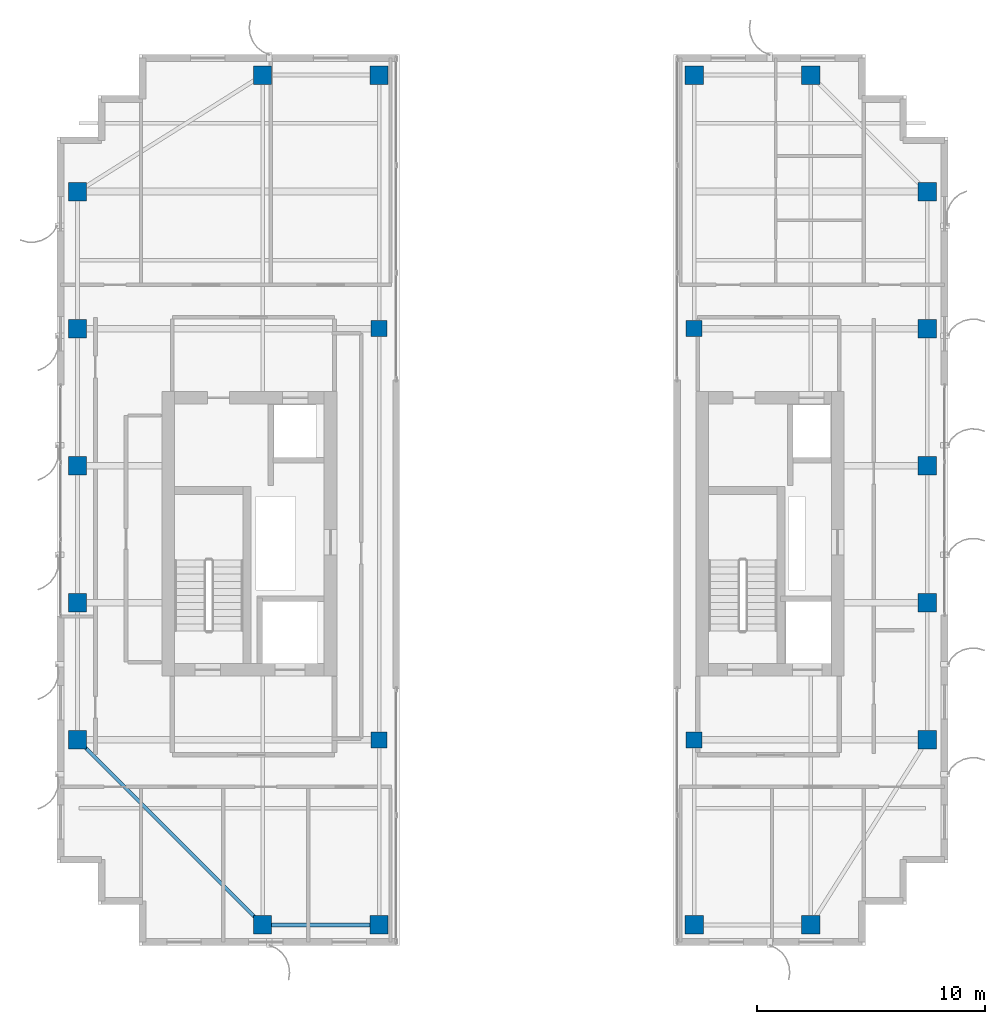
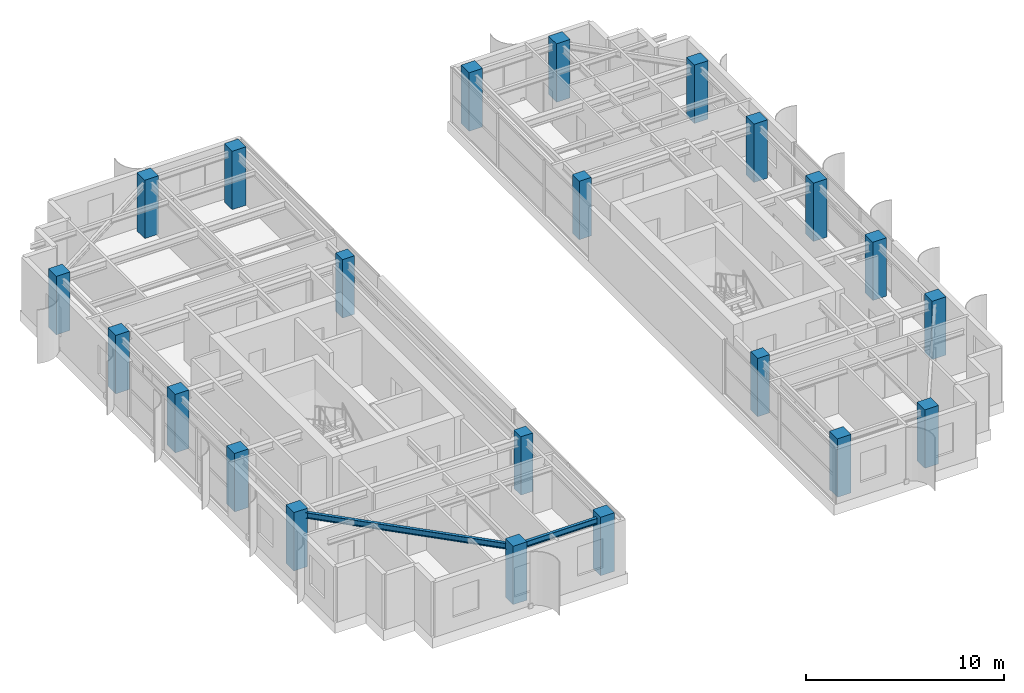
# One storey, part 1 of 24: 22 columns, 2 beams.
"""IFC4 building model written with IfcOpenShell, lengths in metres."""

from ifc_helpers import new_model, si_unit, direction, frame, origin, origin_2d, place, context, subcontext, project, spatial, rectangle, i_section, extrude, source, transform, mapped, material, material_profile, profile_set, type_object, element, save


model = new_model("IFC4")

# Units and contexts
model_context = context("Model", 3, precision=1e-05, world=origin(), true_north=direction((0.0, 1.0)))
body_context = subcontext(model_context, "Body", "Model", "MODEL_VIEW")
ifc_project = project(units=[si_unit("LENGTHUNIT", "METRE"), si_unit("AREAUNIT", "SQUARE_METRE"), si_unit("VOLUMEUNIT", "CUBIC_METRE"), si_unit("PLANEANGLEUNIT", "RADIAN"), si_unit("MASSUNIT", "GRAM", prefix="KILO")], contexts=[model_context])

# Site, building, storey
site_placement = place(None, origin())
site = spatial("IfcSite", under=ifc_project, at=site_placement, CompositionType="ELEMENT")
building_placement = place(site_placement, origin())
building = spatial("IfcBuilding", under=site, at=building_placement, Name="Khoralis Quay Care Tower", CompositionType="ELEMENT")
storey_placement = place(building_placement, frame((0.0, 0.0, 227.699951171875)))
storey = spatial("IfcBuildingStorey", under=building, at=storey_placement, Name="L59", CompositionType="ELEMENT", Elevation=227.699951171875)

# Columns
ifc_material_1 = material(Name="Concrete C50/60", Category="concrete")
ifc_material_profile_1 = material_profile(ifc_material_1, rectangle(XDim=0.800048828125, YDim=0.800048828125, at=origin_2d()), Name="Concrete C50/60")
ifc_profile_set_1 = profile_set([ifc_material_profile_1], Name="Concrete C50/60")
column_type_1 = type_object("IfcColumnType", Name="COL-C800", PredefinedType="COLUMN", material=ifc_profile_set_1)
shared_shape_1 = source(origin(), body_context, "Body", "SweptSolid", [
    extrude(rectangle(XDim=0.800048828125, YDim=0.800048828125, at=origin_2d()), origin(), (0.0, 0.0, 1.0), 3.60009765625),
])
for number, where, z_axis, x_axis, name in (
    (1, (12.0, 3.89990234375, 0.0), (0.0, 0.0, 1.0), (1.0, 0.0, 0.0), "COL-TWR-L59-01"),
    (2, (12.0, 41.10009765625, 0.0), (0.0, 0.0, 1.0), (1.0, 0.0, 0.0), "COL-TWR-L59-02"),
    (3, (17.10009765625, 3.89990234375, 0.0), (0.0, 0.0, 1.0), (1.0, 0.0, 0.0), "COL-TWR-L59-03"),
    (4, (17.10009765625, 41.10009765625, 0.0), (0.0, 0.0, 1.0), (1.0, 0.0, 0.0), "COL-TWR-L59-04"),
    (5, (30.89990234375, 3.89990234375, 0.0), (0.0, 0.0, 1.0), (1.0, 0.0, 0.0), "COL-TWR-L59-05"),
    (6, (30.89990234375, 41.10009765625, 0.0), (0.0, 0.0, 1.0), (1.0, 0.0, 0.0), "COL-TWR-L59-06"),
    (7, (36.0, 3.89990234375, 0.0), (0.0, 0.0, 1.0), (1.0, 0.0, 0.0), "COL-TWR-L59-07"),
    (8, (36.0, 41.10009765625, 0.0), (0.0, 0.0, 1.0), (1.0, 0.0, 0.0), "COL-TWR-L59-08"),
    (9, (3.89990234375, 12.0, 0.0), (0.0, 0.0, 1.0), (1.0, 0.0, 0.0), "COL-TWR-L59-09"),
    (10, (41.10009765625, 12.0, 0.0), (0.0, 0.0, 1.0), (1.0, 0.0, 0.0), "COL-TWR-L59-10"),
    (11, (3.89990234375, 18.0, 0.0), (0.0, 0.0, 1.0), (1.0, 0.0, 0.0), "COL-TWR-L59-11"),
    (12, (41.10009765625, 18.0, 0.0), (0.0, 0.0, 1.0), (1.0, 0.0, 0.0), "COL-TWR-L59-12"),
    (13, (3.89990234375, 24.0, 0.0), (0.0, 0.0, 1.0), (1.0, 0.0, 0.0), "COL-TWR-L59-13"),
    (14, (41.10009765625, 24.0, 0.0), (0.0, 0.0, 1.0), (1.0, 0.0, 0.0), "COL-TWR-L59-14"),
    (15, (3.89990234375, 30.0, 0.0), (0.0, 0.0, 1.0), (1.0, 0.0, 0.0), "COL-TWR-L59-15"),
    (16, (41.10009765625, 30.0, 0.0), (0.0, 0.0, 1.0), (1.0, 0.0, 0.0), "COL-TWR-L59-16"),
    (17, (3.89990234375, 36.0, 0.0), (0.0, 0.0, 1.0), (1.0, 0.0, 0.0), "COL-TWR-L59-17"),
    (18, (41.10009765625, 36.0, 0.0), (0.0, 0.0, 1.0), (1.0, 0.0, 0.0), "COL-TWR-L59-18"),
):
    element("IfcColumn", number, at=place(storey_placement, frame(where, z_axis=z_axis, x_axis=x_axis)), inside=storey, type_object=column_type_1, Name=name, PredefinedType="COLUMN", context=body_context, shape_type="MappedRepresentation", body=[
        mapped(shared_shape_1, transform((0.0, 0.0, 0.0), scale=1.0)),
    ])
ifc_material_profile_2 = material_profile(ifc_material_1, rectangle(XDim=0.699951171875, YDim=0.699951171875, at=origin_2d()), Name="Concrete C50/60")
ifc_profile_set_2 = profile_set([ifc_material_profile_2], Name="Concrete C50/60")
column_type_2 = type_object("IfcColumnType", Name="COL-C700", PredefinedType="COLUMN", material=ifc_profile_set_2)
shared_shape_2 = source(origin(), body_context, "Body", "SweptSolid", [
    extrude(rectangle(XDim=0.699951171875, YDim=0.699951171875, at=origin_2d()), origin(), (0.0, 0.0, 1.0), 3.60009765625),
])
for number, where, z_axis, x_axis, name in (
    (19, (17.10009765625, 12.0, 0.0), (0.0, 0.0, 1.0), (1.0, 0.0, 0.0), "COL-TWR-L59-19"),
    (20, (17.10009765625, 30.0, 0.0), (0.0, 0.0, 1.0), (1.0, 0.0, 0.0), "COL-TWR-L59-20"),
    (21, (30.89990234375, 12.0, 0.0), (0.0, 0.0, 1.0), (1.0, 0.0, 0.0), "COL-TWR-L59-21"),
    (22, (30.89990234375, 30.0, 0.0), (0.0, 0.0, 1.0), (1.0, 0.0, 0.0), "COL-TWR-L59-22"),
):
    element("IfcColumn", number, at=place(storey_placement, frame(where, z_axis=z_axis, x_axis=x_axis)), inside=storey, type_object=column_type_2, Name=name, PredefinedType="COLUMN", context=body_context, shape_type="MappedRepresentation", body=[
        mapped(shared_shape_2, transform((0.0, 0.0, 0.0), scale=1.0)),
    ])

# Beams
ifc_material_2 = material(Name="Steel S355", Category="steel")
ifc_material_profile_3 = material_profile(ifc_material_2, i_section(OverallWidth=0.169921875, OverallDepth=0.360107421875, WebThickness=0.008056640625, FlangeThickness=0.0126953125, FilletRadius=0.01806640625, at=origin_2d()), Name="Steel S355")
ifc_profile_set_3 = profile_set([ifc_material_profile_3], Name="Steel S355")
beam_type = type_object("IfcBeamType", Name="BM-IPE360", PredefinedType="SPANDREL", material=ifc_profile_set_3)
shared_shape_3 = source(origin(), body_context, "Body", "SweptSolid", [
    extrude(i_section(OverallWidth=0.169921875, OverallDepth=0.360107421875, WebThickness=0.008056640625, FlangeThickness=0.0126953125, FilletRadius=0.01806640625, at=origin_2d()), origin(), (0.0, 0.0, 1.0), 5.10009765625),
])
beam_1_placement = place(storey_placement, frame((12.0, 3.89990234375, 3.179931640625), z_axis=(1.0, 0.0, 0.0), x_axis=(0.0, 1.0, 0.0)))
element("IfcBeam", 23, at=beam_1_placement, inside=storey, type_object=beam_type, Name="BM-TSP-L59-01", PredefinedType="SPANDREL", context=body_context, shape_type="MappedRepresentation", body=[
    mapped(shared_shape_3, transform((0.0, 0.0, 0.0), scale=1.0)),
])
shared_shape_4 = source(origin(), body_context, "Body", "SweptSolid", [
    extrude(i_section(OverallWidth=0.169921875, OverallDepth=0.360107421875, WebThickness=0.008056640625, FlangeThickness=0.0126953125, FilletRadius=0.01806640625, at=origin_2d()), origin(), (0.0, 0.0, 1.0), 11.455322265625),
])
beam_2_placement = place(storey_placement, frame((12.0, 3.89990234375, 3.179931640625), z_axis=(-0.707106781187, 0.707106781187, 0.0), x_axis=(-0.707106781187, -0.707106781187, 0.0)))
element("IfcBeam", 24, at=beam_2_placement, inside=storey, type_object=beam_type, Name="BM-TCR-L59-13", PredefinedType="SPANDREL", context=body_context, shape_type="MappedRepresentation", body=[
    mapped(shared_shape_4, transform((0.0, 0.0, 0.0), scale=1.0)),
])

save(model, "model.ifc")
